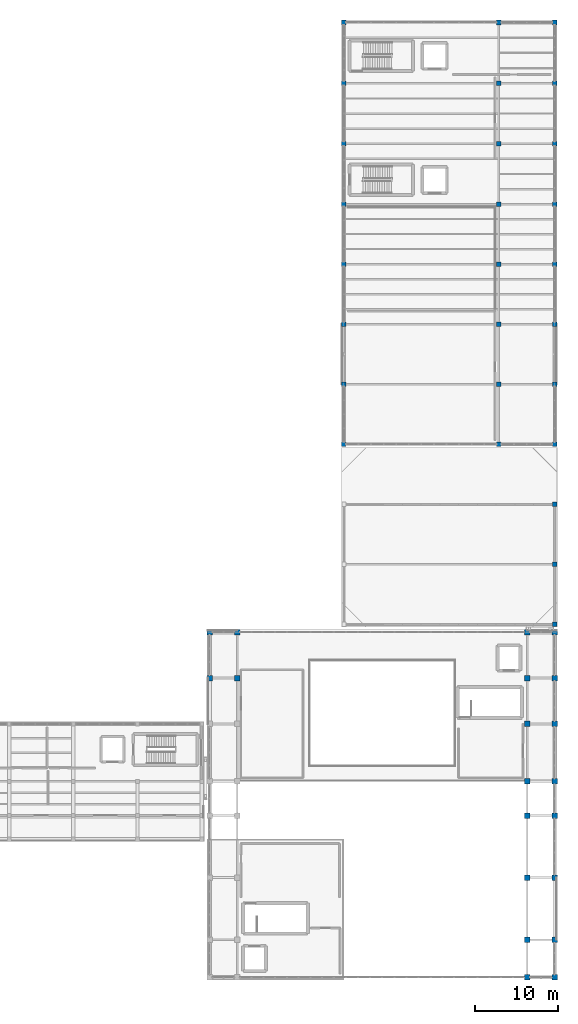
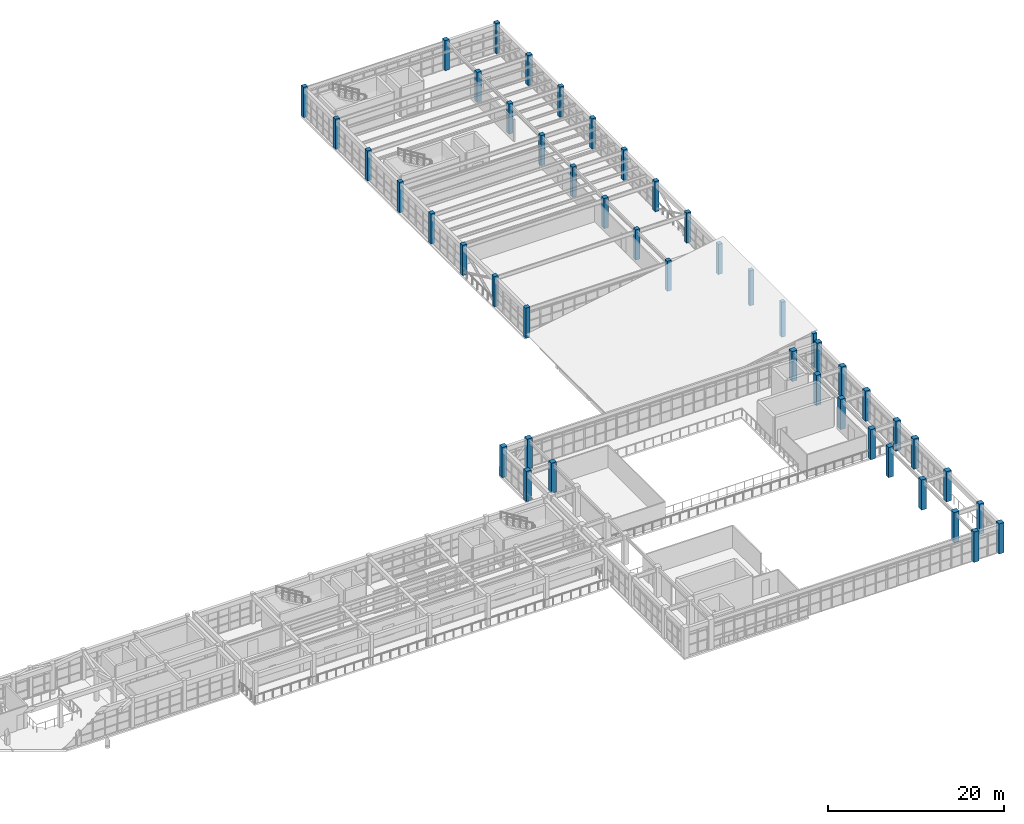
# One storey, part 2 of 66: 47 columns.
"""IFC4 building model written with IfcOpenShell, lengths in metres."""

from ifc_helpers import new_model, si_unit, direction, frame, origin, origin_2d, place, context, subcontext, project, spatial, rectangle, extrude, material, material_profile, profile_set, type_object, element, save


model = new_model("IFC4")

# Units and contexts
model_context = context("Model", 3, precision=1e-05, world=origin(), true_north=direction((0.0, 1.0)))
body_context = subcontext(model_context, "Body", "Model", "MODEL_VIEW")
ifc_project = project(units=[si_unit("LENGTHUNIT", "METRE"), si_unit("AREAUNIT", "SQUARE_METRE"), si_unit("VOLUMEUNIT", "CUBIC_METRE"), si_unit("PLANEANGLEUNIT", "RADIAN"), si_unit("MASSUNIT", "GRAM", prefix="KILO")], contexts=[model_context])

# Site, building, storey
site_placement = place(None, origin())
site = spatial("IfcSite", under=ifc_project, at=site_placement, CompositionType="ELEMENT")
building_placement = place(site_placement, origin())
building = spatial("IfcBuilding", under=site, at=building_placement, Name="Candilejo Ridge Gondola Terminal", CompositionType="ELEMENT")
storey_placement = place(building_placement, frame((0.0, 0.0, 14.39990234375)))
storey = spatial("IfcBuildingStorey", under=building, at=storey_placement, Name="L03", CompositionType="ELEMENT", Elevation=14.39990234375)

# Columns
ifc_material_1 = material(Name="Concrete f'c 35 MPa (C35/45)", Category="concrete")
ifc_material_profile_1 = material_profile(ifc_material_1, rectangle(XDim=0.5, YDim=0.5, at=origin_2d()))
ifc_profile_set_1 = profile_set([ifc_material_profile_1], Name="Concrete f'c 35 MPa (C35/45)")
column_type_1 = type_object("IfcColumnType", Name="STR-COL-RC500", PredefinedType="COLUMN", material=ifc_profile_set_1)
for number, where, z_axis, x_axis, name in (
    (1, (175.300048828125, 48.64990234375, 0.0), (0.0, 0.0, 1.0), (1.0, 0.0, 0.0), "Roof ridge post RF-V5-GAR-01-E"),
    (2, (175.300048828125, 55.85009765625, 0.0), (0.0, 0.0, 1.0), (1.0, 0.0, 0.0), "Roof ridge post RF-V5-GAR-02-E"),
    (3, (175.300048828125, 63.050048828125, 0.0), (0.0, 0.0, 1.0), (1.0, 0.0, 0.0), "Roof ridge post RF-V5-GAR-03-E"),
):
    element("IfcColumn", number, at=place(storey_placement, frame(where, z_axis=z_axis, x_axis=x_axis)), inside=storey, type_object=column_type_1, Name=name, PredefinedType="COLUMN", context=body_context, shape_type="SweptSolid", body=[
        extrude(rectangle(XDim=0.5, YDim=0.5, at=origin_2d()), origin(), (0.0, 0.0, 1.0), 4.868896484375),
    ])
ifc_material_2 = material(Name="Concrete f'c 35 MPa (C35/45)", Category="concrete")
ifc_material_profile_2 = material_profile(ifc_material_2, rectangle(XDim=0.550048828125, YDim=0.550048828125, at=origin_2d()))
ifc_profile_set_2 = profile_set([ifc_material_profile_2], Name="Concrete f'c 35 MPa (C35/45)")
column_type_2 = type_object("IfcColumnType", Name="STR-COL-RC550", PredefinedType="COLUMN", material=ifc_profile_set_2)
for number, where, z_axis, x_axis, name in (
    (4, (150.0, 70.25, 0.0), (0.0, 0.0, 1.0), (1.0, 0.0, 0.0), "Column V5 L03 X23-Y13"),
    (5, (150.0, 77.449951171875, 0.0), (0.0, 0.0, 1.0), (1.0, 0.0, 0.0), "Column V5 L03 X23-Y14"),
    (6, (150.0, 84.64990234375, 0.0), (0.0, 0.0, 1.0), (1.0, 0.0, 0.0), "Column V5 L03 X23-Y15"),
    (7, (150.0, 91.85009765625, 0.0), (0.0, 0.0, 1.0), (1.0, 0.0, 0.0), "Column V5 L03 X23-Y16"),
    (8, (150.0, 99.050048828125, 0.0), (0.0, 0.0, 1.0), (1.0, 0.0, 0.0), "Column V5 L03 X23-Y17"),
    (9, (150.0, 106.300048828125, 0.0), (0.0, 0.0, 1.0), (1.0, 0.0, 0.0), "Column V5 L03 X23-Y18"),
    (10, (150.0, 113.550048828125, 0.0), (0.0, 0.0, 1.0), (1.0, 0.0, 0.0), "Column V5 L03 X23-Y19"),
    (11, (150.0, 120.85009765625, 0.0), (0.0, 0.0, 1.0), (1.0, 0.0, 0.0), "Column V5 L03 X23-Y20"),
    (12, (168.60009765625, 70.25, 0.0), (0.0, 0.0, 1.0), (1.0, 0.0, 0.0), "Column V5 L03 X25-Y13"),
    (13, (168.60009765625, 77.449951171875, 0.0), (0.0, 0.0, 1.0), (1.0, 0.0, 0.0), "Column V5 L03 X25-Y14"),
    (14, (168.60009765625, 84.64990234375, 0.0), (0.0, 0.0, 1.0), (1.0, 0.0, 0.0), "Column V5 L03 X25-Y15"),
    (15, (168.60009765625, 91.85009765625, 0.0), (0.0, 0.0, 1.0), (1.0, 0.0, 0.0), "Column V5 L03 X25-Y16"),
    (16, (168.60009765625, 99.050048828125, 0.0), (0.0, 0.0, 1.0), (1.0, 0.0, 0.0), "Column V5 L03 X25-Y17"),
    (17, (168.60009765625, 106.300048828125, 0.0), (0.0, 0.0, 1.0), (1.0, 0.0, 0.0), "Column V5 L03 X25-Y18"),
    (18, (168.60009765625, 113.550048828125, 0.0), (0.0, 0.0, 1.0), (1.0, 0.0, 0.0), "Column V5 L03 X25-Y19"),
    (19, (168.60009765625, 120.85009765625, 0.0), (0.0, 0.0, 1.0), (1.0, 0.0, 0.0), "Column V5 L03 X25-Y20"),
    (20, (175.300048828125, 70.25, 0.0), (0.0, 0.0, 1.0), (1.0, 0.0, 0.0), "Column V5 L03 X27-Y13"),
    (21, (175.300048828125, 77.449951171875, 0.0), (0.0, 0.0, 1.0), (1.0, 0.0, 0.0), "Column V5 L03 X27-Y14"),
    (22, (175.300048828125, 84.64990234375, 0.0), (0.0, 0.0, 1.0), (1.0, 0.0, 0.0), "Column V5 L03 X27-Y15"),
    (23, (175.300048828125, 91.85009765625, 0.0), (0.0, 0.0, 1.0), (1.0, 0.0, 0.0), "Column V5 L03 X27-Y16"),
    (24, (175.300048828125, 99.050048828125, 0.0), (0.0, 0.0, 1.0), (1.0, 0.0, 0.0), "Column V5 L03 X27-Y17"),
    (25, (175.300048828125, 106.300048828125, 0.0), (0.0, 0.0, 1.0), (1.0, 0.0, 0.0), "Column V5 L03 X27-Y18"),
    (26, (175.300048828125, 113.550048828125, 0.0), (0.0, 0.0, 1.0), (1.0, 0.0, 0.0), "Column V5 L03 X27-Y19"),
    (27, (175.300048828125, 120.85009765625, 0.0), (0.0, 0.0, 1.0), (1.0, 0.0, 0.0), "Column V5 L03 X27-Y20"),
):
    element("IfcColumn", number, at=place(storey_placement, frame(where, z_axis=z_axis, x_axis=x_axis)), inside=storey, type_object=column_type_2, Name=name, PredefinedType="COLUMN", context=body_context, shape_type="SweptSolid", body=[
        extrude(rectangle(XDim=0.550048828125, YDim=0.550048828125, at=origin_2d()), origin(), (0.0, 0.0, 1.0), 4.2001953125),
    ])
ifc_material_3 = material(Name="Concrete f'c 35 MPa (C35/45)", Category="concrete")
ifc_material_profile_3 = material_profile(ifc_material_3, rectangle(XDim=0.64990234375, YDim=0.64990234375, at=origin_2d()))
ifc_profile_set_3 = profile_set([ifc_material_profile_3], Name="Concrete f'c 35 MPa (C35/45)")
column_type_3 = type_object("IfcColumnType", Name="STR-COL-RC650", PredefinedType="COLUMN", material=ifc_profile_set_3)
for number, where, z_axis, x_axis, name in (
    (28, (133.89990234375, 42.199951171875, 0.0), (0.0, 0.0, 1.0), (1.0, 0.0, 0.0), "Column V4 L03 X21-Y08"),
    (29, (133.89990234375, 47.699951171875, 0.0), (0.0, 0.0, 1.0), (1.0, 0.0, 0.0), "Column V4 L03 X21-Y09"),
    (30, (137.199951171875, 42.199951171875, 0.0), (0.0, 0.0, 1.0), (1.0, 0.0, 0.0), "Column V4 L03 X22-Y08"),
    (31, (137.199951171875, 47.699951171875, 0.0), (0.0, 0.0, 1.0), (1.0, 0.0, 0.0), "Column V4 L03 X22-Y09"),
    (32, (172.0, 6.300048828125, 0.0), (0.0, 0.0, 1.0), (1.0, 0.0, 0.0), "Column V4 L03 X26-Y01"),
    (33, (172.0, 10.800048828125, 0.0), (0.0, 0.0, 1.0), (1.0, 0.0, 0.0), "Column V4 L03 X26-Y02"),
    (34, (172.0, 18.25, 0.0), (0.0, 0.0, 1.0), (1.0, 0.0, 0.0), "Column V4 L03 X26-Y03"),
    (35, (172.0, 25.699951171875, 0.0), (0.0, 0.0, 1.0), (1.0, 0.0, 0.0), "Column V4 L03 X26-Y05"),
    (36, (172.0, 29.800048828125, 0.0), (0.0, 0.0, 1.0), (1.0, 0.0, 0.0), "Column V4 L03 X26-Y06"),
    (37, (172.0, 36.699951171875, 0.0), (0.0, 0.0, 1.0), (1.0, 0.0, 0.0), "Column V4 L03 X26-Y07"),
    (38, (172.0, 42.199951171875, 0.0), (0.0, 0.0, 1.0), (1.0, 0.0, 0.0), "Column V4 L03 X26-Y08"),
    (39, (172.0, 47.699951171875, 0.0), (0.0, 0.0, 1.0), (1.0, 0.0, 0.0), "Column V4 L03 X26-Y09"),
    (40, (175.300048828125, 6.300048828125, 0.0), (0.0, 0.0, 1.0), (1.0, 0.0, 0.0), "Column V4 L03 X27-Y01"),
    (41, (175.300048828125, 10.800048828125, 0.0), (0.0, 0.0, 1.0), (1.0, 0.0, 0.0), "Column V4 L03 X27-Y02"),
    (42, (175.300048828125, 18.25, 0.0), (0.0, 0.0, 1.0), (1.0, 0.0, 0.0), "Column V4 L03 X27-Y03"),
    (43, (175.300048828125, 25.699951171875, 0.0), (0.0, 0.0, 1.0), (1.0, 0.0, 0.0), "Column V4 L03 X27-Y05"),
    (44, (175.300048828125, 29.800048828125, 0.0), (0.0, 0.0, 1.0), (1.0, 0.0, 0.0), "Column V4 L03 X27-Y06"),
    (45, (175.300048828125, 36.699951171875, 0.0), (0.0, 0.0, 1.0), (1.0, 0.0, 0.0), "Column V4 L03 X27-Y07"),
    (46, (175.300048828125, 42.199951171875, 0.0), (0.0, 0.0, 1.0), (1.0, 0.0, 0.0), "Column V4 L03 X27-Y08"),
    (47, (175.300048828125, 47.699951171875, 0.0), (0.0, 0.0, 1.0), (1.0, 0.0, 0.0), "Column V4 L03 X27-Y09"),
):
    element("IfcColumn", number, at=place(storey_placement, frame(where, z_axis=z_axis, x_axis=x_axis)), inside=storey, type_object=column_type_3, Name=name, PredefinedType="COLUMN", context=body_context, shape_type="SweptSolid", body=[
        extrude(rectangle(XDim=0.64990234375, YDim=0.64990234375, at=origin_2d()), origin(), (0.0, 0.0, 1.0), 4.2001953125),
    ])

save(model, "model.ifc")
